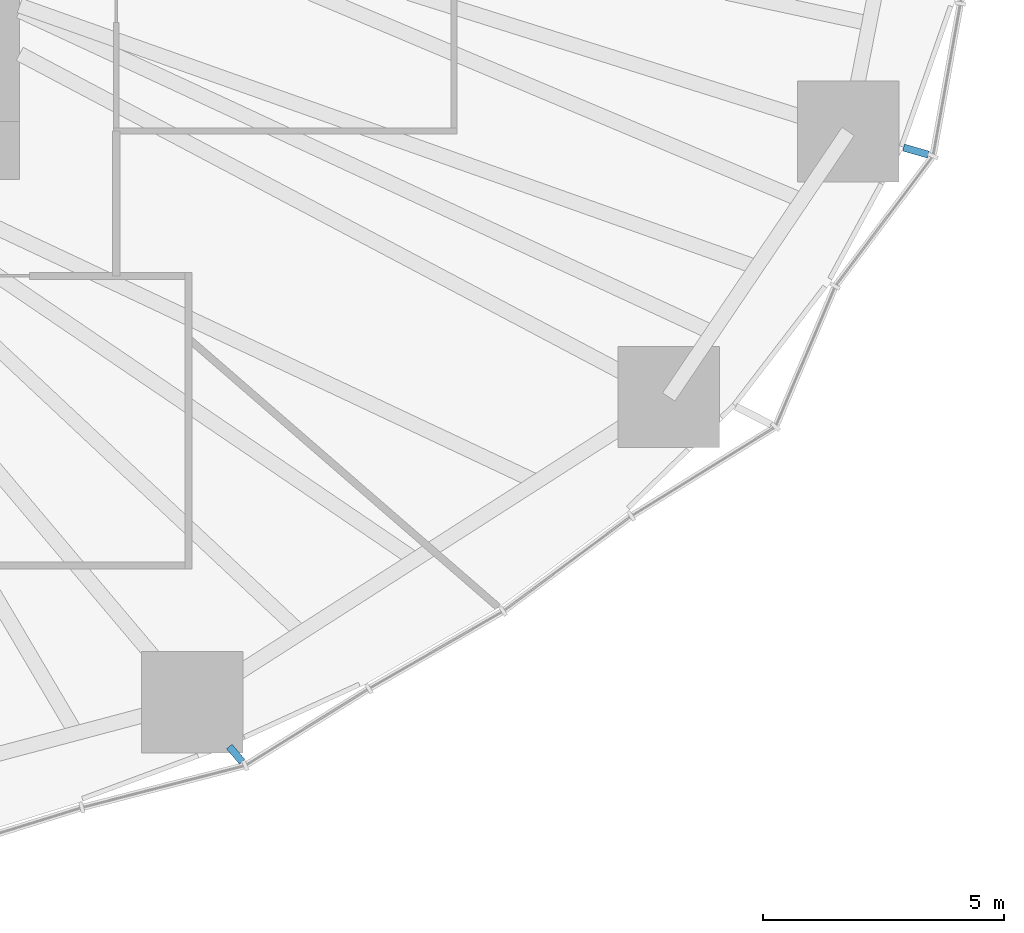
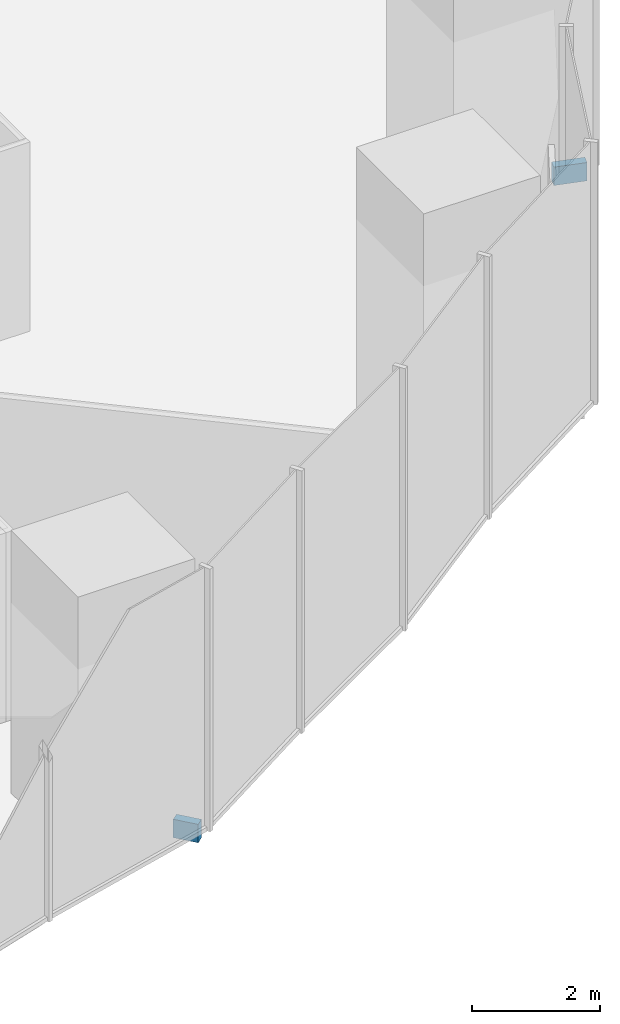
# One storey, part 14 of 20: 2 discrete accessories.
"""IFC4 building model written with IfcOpenShell, lengths in metres."""

from ifc_helpers import new_model, si_unit, direction, frame, origin, origin_2d, place, context, subcontext, project, spatial, rectangle, extrude, material, type_object, element, save


model = new_model("IFC4")

# Units and contexts
model_context = context("Model", 3, precision=1e-05, world=origin(), true_north=direction((0.0, 1.0)))
body_context = subcontext(model_context, "Body", "Model", "MODEL_VIEW")
ifc_project = project(units=[si_unit("LENGTHUNIT", "METRE"), si_unit("AREAUNIT", "SQUARE_METRE"), si_unit("VOLUMEUNIT", "CUBIC_METRE"), si_unit("PLANEANGLEUNIT", "RADIAN"), si_unit("MASSUNIT", "GRAM", prefix="KILO")], contexts=[model_context])

# Site, building, storey
site_placement = place(None, origin())
site = spatial("IfcSite", under=ifc_project, at=site_placement, CompositionType="ELEMENT")
building_placement = place(site_placement, origin())
building = spatial("IfcBuilding", under=site, at=building_placement, Name="Ghaith Harvest Tower", CompositionType="ELEMENT")
storey_placement = place(building_placement, frame((0.0, 0.0, 45.0)))
storey = spatial("IfcBuildingStorey", under=building, at=storey_placement, Name="L09", CompositionType="ELEMENT", Elevation=45.0)

# Discrete accessories
ifc_material_1 = material(Name="Stainless steel grade 1.4401", Category="steel")
discrete_accessory_type_1 = type_object("IfcDiscreteAccessoryType", Name="CURTAIN WALL BRACKET 415", PredefinedType="BRACKET", material=ifc_material_1)
discrete_accessory_1_placement = place(storey_placement, frame((18.475830078125, -21.90966796875, -0.25), z_axis=(0.0, 0.0, 1.0), x_axis=(0.644657240069, -0.764471741025, 0.0)))
element("IfcDiscreteAccessory", 1, at=discrete_accessory_1_placement, inside=storey, type_object=discrete_accessory_type_1, Name="CW-F bracket 1 bay 18 L09", PredefinedType="BRACKET", context=body_context, shape_type="SweptSolid", body=[
    extrude(rectangle(XDim=0.4150390625, YDim=0.14990234375, at=origin_2d()), origin(), (0.0, 0.0, 1.0), 0.35009765625),
])
ifc_material_2 = material(Name="Stainless steel grade 1.4401", Category="steel")
discrete_accessory_type_2 = type_object("IfcDiscreteAccessoryType", Name="CURTAIN WALL BRACKET 535", PredefinedType="BRACKET", material=ifc_material_2)
discrete_accessory_2_placement = place(storey_placement, frame((32.570556640625, -9.41357421875, -0.25), z_axis=(0.0, 0.0, 1.0), x_axis=(0.960680349932, -0.277656739976, 0.0)))
element("IfcDiscreteAccessory", 2, at=discrete_accessory_2_placement, inside=storey, type_object=discrete_accessory_type_2, Name="CW-F bracket 1 bay 20 L09", PredefinedType="BRACKET", context=body_context, shape_type="SweptSolid", body=[
    extrude(rectangle(XDim=0.534912109375, YDim=0.14990234375, at=origin_2d()), origin(), (0.0, 0.0, 1.0), 0.35009765625),
])

save(model, "model.ifc")
